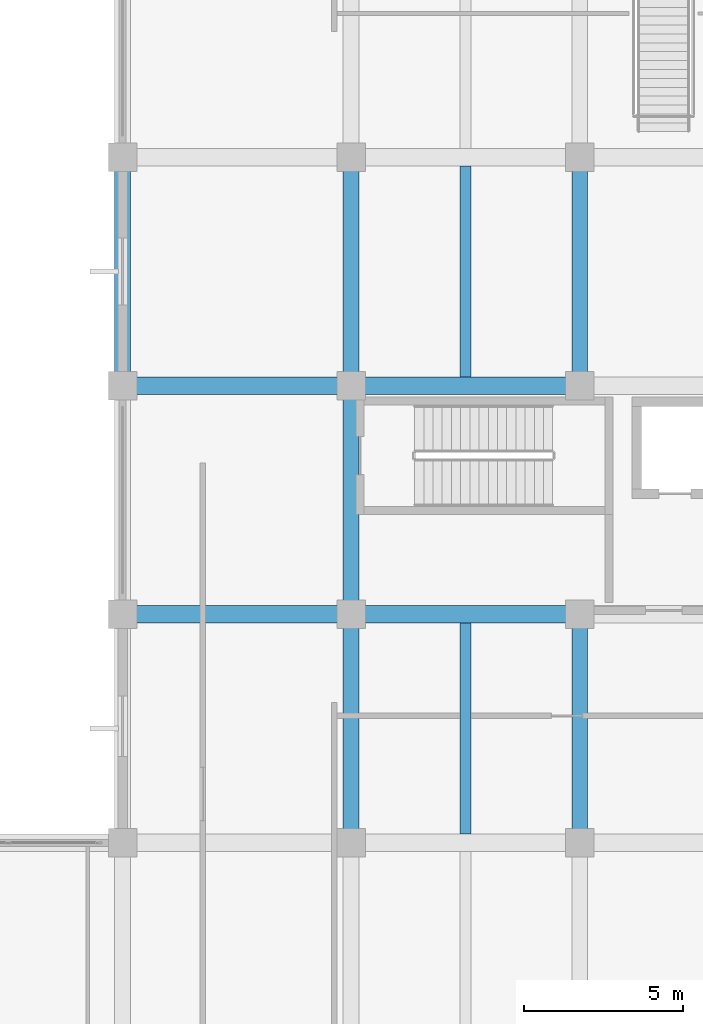
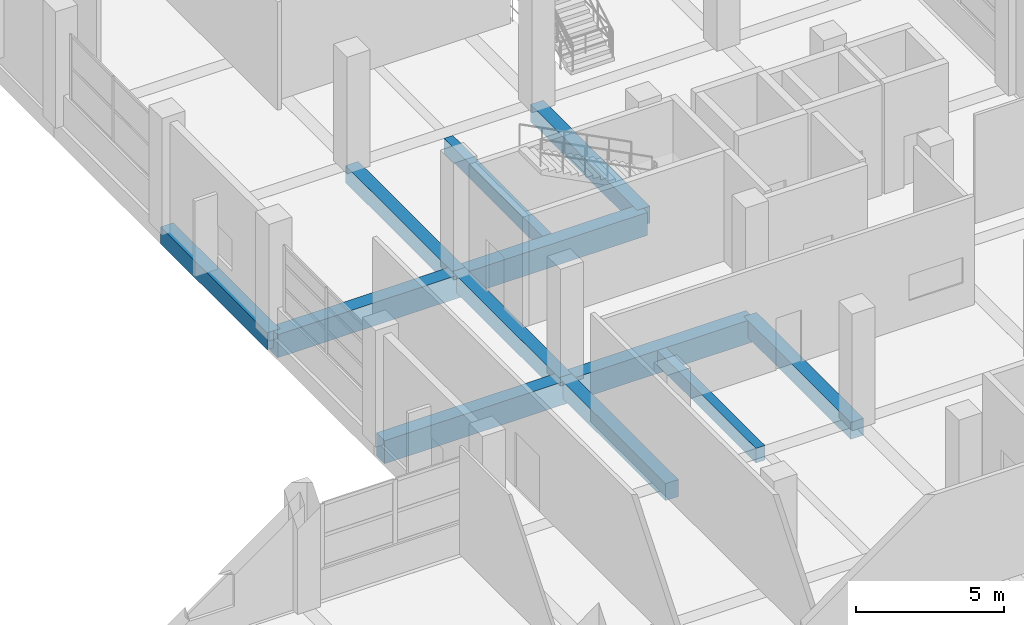
# One storey, part 48 of 181: 12 beams.
"""IFC4 building model written with IfcOpenShell, lengths in metres."""

from ifc_helpers import new_model, si_unit, direction, frame, origin, origin_2d, place, context, subcontext, project, spatial, rectangle, extrude, material, material_profile, profile_set, type_object, element, save


model = new_model("IFC4")

# Units and contexts
model_context = context("Model", 3, precision=1e-05, world=origin(), true_north=direction((0.0, 1.0)))
body_context = subcontext(model_context, "Body", "Model", "MODEL_VIEW")
ifc_project = project(units=[si_unit("LENGTHUNIT", "METRE"), si_unit("AREAUNIT", "SQUARE_METRE"), si_unit("VOLUMEUNIT", "CUBIC_METRE"), si_unit("PLANEANGLEUNIT", "RADIAN"), si_unit("MASSUNIT", "GRAM", prefix="KILO")], contexts=[model_context])

# Site, building, storey
site_placement = place(None, origin())
site = spatial("IfcSite", under=ifc_project, at=site_placement, CompositionType="ELEMENT")
building_placement = place(site_placement, origin())
building = spatial("IfcBuilding", under=site, at=building_placement, Name="Seraya Terrace Polytechnic", CompositionType="ELEMENT")
storey_placement = place(building_placement, frame((0.0, 0.0, 4.800048828125)))
storey = spatial("IfcBuildingStorey", under=building, at=storey_placement, Name="L01", CompositionType="ELEMENT", Elevation=4.800048828125)

# Beams
ifc_material = material(Name="Concrete C40/50", Category="concrete")
ifc_material_profile_1 = material_profile(ifc_material, rectangle(XDim=0.550048828125, YDim=0.949951171875, at=origin_2d()), Name="RC 550x950")
ifc_profile_set_1 = profile_set([ifc_material_profile_1], Name="Concrete C40/50")
beam_type_1 = type_object("IfcBeamType", Name="BM-03", PredefinedType="BEAM", material=ifc_profile_set_1)
beam_1_placement = place(storey_placement, frame((79.199951171875, 36.0, -0.47509765625), z_axis=(1.0, 0.0, 0.0), x_axis=(0.0, 1.0, 0.0)))
element("IfcBeam", 1, at=beam_1_placement, inside=storey, type_object=beam_type_1, Name="Beam BM-03 L01 X (79.2..86.4, 36.0)", PredefinedType="BEAM", context=body_context, shape_type="SweptSolid", body=[
    extrude(rectangle(XDim=0.550048828125, YDim=0.949951171875, at=origin_2d()), origin(), (0.0, 0.0, 1.0), 7.199951171875),
])
beam_2_placement = place(storey_placement, frame((86.39990234375, 36.0, -0.47509765625), z_axis=(1.0, 0.0, 0.0), x_axis=(0.0, 1.0, 0.0)))
element("IfcBeam", 2, at=beam_2_placement, inside=storey, type_object=beam_type_1, Name="Beam BM-03 L01 X (86.4..93.6, 36.0)", PredefinedType="BEAM", context=body_context, shape_type="SweptSolid", body=[
    extrude(rectangle(XDim=0.550048828125, YDim=0.949951171875, at=origin_2d()), origin(), (0.0, 0.0, 1.0), 7.2001953125),
])
beam_3_placement = place(storey_placement, frame((79.199951171875, 43.199951171875, -0.47509765625), z_axis=(1.0, 0.0, 0.0), x_axis=(0.0, 1.0, 0.0)))
element("IfcBeam", 3, at=beam_3_placement, inside=storey, type_object=beam_type_1, Name="Beam BM-03 L01 X (79.2..86.4, 43.2)", PredefinedType="BEAM", context=body_context, shape_type="SweptSolid", body=[
    extrude(rectangle(XDim=0.550048828125, YDim=0.949951171875, at=origin_2d()), origin(), (0.0, 0.0, 1.0), 7.199951171875),
])
beam_4_placement = place(storey_placement, frame((86.39990234375, 43.199951171875, -0.47509765625), z_axis=(1.0, 0.0, 0.0), x_axis=(0.0, 1.0, 0.0)))
element("IfcBeam", 4, at=beam_4_placement, inside=storey, type_object=beam_type_1, Name="Beam BM-03 L01 X (86.4..93.6, 43.2)", PredefinedType="BEAM", context=body_context, shape_type="SweptSolid", body=[
    extrude(rectangle(XDim=0.550048828125, YDim=0.949951171875, at=origin_2d()), origin(), (0.0, 0.0, 1.0), 7.2001953125),
])
ifc_material_profile_2 = material_profile(ifc_material, rectangle(XDim=0.5, YDim=0.699951171875, at=origin_2d()), Name="RC 500x700")
ifc_profile_set_2 = profile_set([ifc_material_profile_2], Name="Concrete C40/50")
beam_type_2 = type_object("IfcBeamType", Name="BM-07", PredefinedType="BEAM", material=ifc_profile_set_2)
for number, where, z_axis, x_axis, name in (
    (5, (79.199951171875, 43.199951171875, -0.35009765625), (0.0, 1.0, 0.0), (-1.0, 0.0, 0.0), "Beam BM-07 L01 Y (79.2, 43.2..50.4)"),
    (6, (86.39990234375, 28.800048828125, -0.35009765625), (0.0, 1.0, 0.0), (-1.0, 0.0, 0.0), "Beam BM-07 L01 Y (86.4, 28.8..36.0)"),
    (7, (86.39990234375, 36.0, -0.35009765625), (0.0, 1.0, 0.0), (-1.0, 0.0, 0.0), "Beam BM-07 L01 Y (86.4, 36.0..43.2)"),
    (8, (86.39990234375, 43.199951171875, -0.35009765625), (0.0, 1.0, 0.0), (-1.0, 0.0, 0.0), "Beam BM-07 L01 Y (86.4, 43.2..50.4)"),
    (9, (93.60009765625, 28.800048828125, -0.35009765625), (0.0, 1.0, 0.0), (-1.0, 0.0, 0.0), "Beam BM-07 L01 Y (93.6, 28.8..36.0)"),
    (10, (93.60009765625, 43.199951171875, -0.35009765625), (0.0, 1.0, 0.0), (-1.0, 0.0, 0.0), "Beam BM-07 L01 Y (93.6, 43.2..50.4)"),
):
    element("IfcBeam", number, at=place(storey_placement, frame(where, z_axis=z_axis, x_axis=x_axis)), inside=storey, type_object=beam_type_2, Name=name, PredefinedType="BEAM", context=body_context, shape_type="SweptSolid", body=[
        extrude(rectangle(XDim=0.5, YDim=0.699951171875, at=origin_2d()), origin(), (0.0, 0.0, 1.0), 7.199951171875),
    ])
ifc_material_profile_3 = material_profile(ifc_material, rectangle(XDim=0.35009765625, YDim=0.60009765625, at=origin_2d()), Name="RC 350x600")
ifc_profile_set_3 = profile_set([ifc_material_profile_3], Name="Concrete C40/50")
beam_type_3 = type_object("IfcBeamType", Name="JS-02", PredefinedType="JOIST", material=ifc_profile_set_3)
beam_5_placement = place(storey_placement, frame((90.0, 29.074951171875, -0.300048828125), z_axis=(0.0, 1.0, 0.0), x_axis=(-1.0, 0.0, 0.0)))
element("IfcBeam", 11, at=beam_5_placement, inside=storey, type_object=beam_type_3, Name="Secondary joist JS-02 L01", PredefinedType="JOIST", context=body_context, shape_type="SweptSolid", body=[
    extrude(rectangle(XDim=0.35009765625, YDim=0.60009765625, at=origin_2d()), origin(), (0.0, 0.0, 1.0), 6.650146484375),
])
beam_6_placement = place(storey_placement, frame((90.0, 43.47509765625, -0.300048828125), z_axis=(0.0, 1.0, 0.0), x_axis=(-1.0, 0.0, 0.0)))
element("IfcBeam", 12, at=beam_6_placement, inside=storey, type_object=beam_type_3, Name="Secondary joist JS-02 L01", PredefinedType="JOIST", context=body_context, shape_type="SweptSolid", body=[
    extrude(rectangle(XDim=0.35009765625, YDim=0.60009765625, at=origin_2d()), origin(), (0.0, 0.0, 1.0), 6.64990234375),
])

save(model, "model.ifc")
